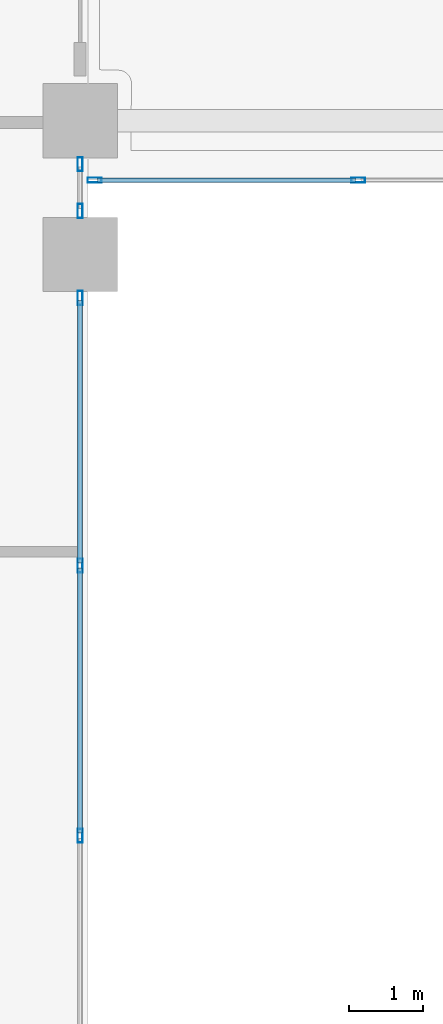
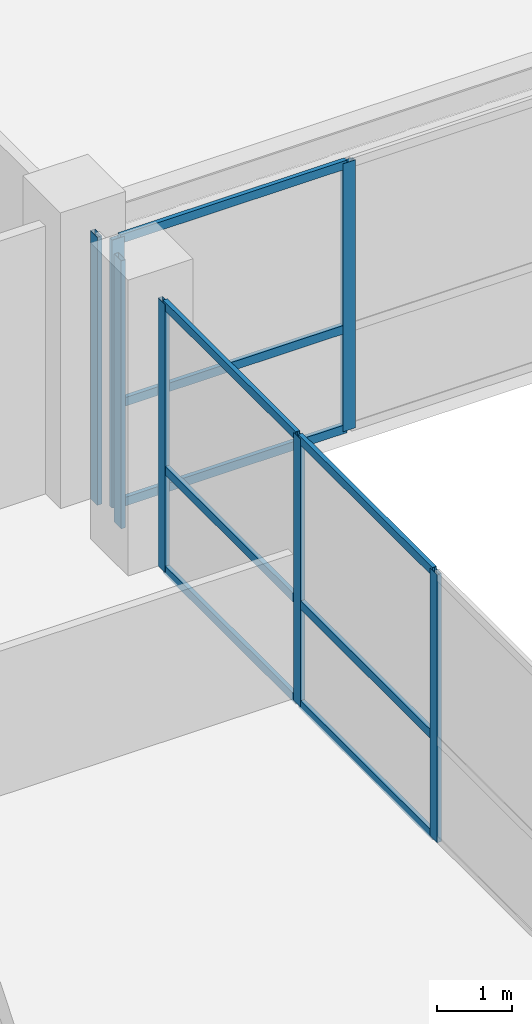
# One storey, part 14 of 44: 16 members, 3 elements without a shape of their own.
"""IFC4 building model written with IfcOpenShell, lengths in metres."""

from ifc_helpers import new_model, si_unit, derived_unit, direction, frame, origin, origin_2d, place, context, subcontext, project, spatial, hollow_rectangle, extrude, source, transform, mapped, material, layer, layer_set, material_profile, profile_set, type_object, element, aggregate, save


model = new_model("IFC4")

# Units and contexts
model_context = context("Model", 3, precision=1e-05, world=origin(), true_north=direction((0.0, 1.0)))
body_context = subcontext(model_context, "Body", "Model", "MODEL_VIEW")
ifc_project = project(units=[si_unit("LENGTHUNIT", "METRE"), si_unit("AREAUNIT", "SQUARE_METRE"), si_unit("VOLUMEUNIT", "CUBIC_METRE"), si_unit("PLANEANGLEUNIT", "RADIAN"), si_unit("MASSUNIT", "GRAM", prefix="KILO"), derived_unit("THERMALTRANSMITTANCEUNIT", [(si_unit("POWERUNIT", "WATT"), 1), (si_unit("LENGTHUNIT", "METRE"), -2), (si_unit("THERMODYNAMICTEMPERATUREUNIT", "KELVIN"), -1)])], contexts=[model_context])

# Site, building, storey
site_placement = place(None, origin())
site = spatial("IfcSite", under=ifc_project, at=site_placement, CompositionType="ELEMENT")
building_placement = place(site_placement, origin())
building = spatial("IfcBuilding", under=site, at=building_placement, Name="Korsvarv Bourse and Concert Hall", CompositionType="ELEMENT")
storey_placement = place(building_placement, frame((0.0, 0.0, 9.60009765625)))
storey = spatial("IfcBuildingStorey", under=building, at=storey_placement, Name="L02", CompositionType="ELEMENT", Elevation=9.60009765625)

# Curtain wall, members
ifc_material_1 = material(Name="Anodised aluminium and triple low-E glazing", Category="glass")
ifc_layer = layer(ifc_material_1, 0.239990234375)
ifc_layer_set = layer_set([ifc_layer], Name="Anodised aluminium and triple low-E glazing")
curtain_wall_type = type_object("IfcCurtainWallType", Name="CW-SYS-5", PredefinedType="NOTDEFINED", material=ifc_layer_set)
curtain_wall_1_placement = place(storey_placement, origin())
curtain_wall_1 = element("IfcCurtainWall", 1, at=curtain_wall_1_placement, inside=storey, type_object=curtain_wall_type, Name="L02 CW5 curtain wall CW-L02-E2-1", PredefinedType="NOTDEFINED")
ifc_material_2 = material(Name="Extruded aluminium EN AW-6063 T66", Category="aluminium")
ifc_material_profile_1 = material_profile(ifc_material_2, hollow_rectangle(XDim=0.06494140625, YDim=0.139892578125, WallThickness=0.00390625, at=origin_2d()), Name="ALU-T 65x140")
ifc_profile_set_1 = profile_set([ifc_material_profile_1], Name="Extruded aluminium EN AW-6063 T66")
member_type_1 = type_object("IfcMemberType", Name="CWT-140", PredefinedType="USERDEFINED", material=ifc_profile_set_1)
shared_shape_1 = source(origin(), body_context, "Body", "SweptSolid", [
    extrude(hollow_rectangle(XDim=0.06494140625, YDim=0.139892578125, WallThickness=0.00390625, at=origin_2d()), origin(), (0.0, 0.0, 1.0), 3.5283203125),
])
member_1_placement = place(storey_placement, frame((66.0, 23.8515625, 0.032470703125), z_axis=(0.0, 1.0, 0.0), x_axis=(-1.0, 0.0, 0.0)))
member_1 = element("IfcMember", 2, at=member_1_placement, type_object=member_type_1, Name="CW5 transom 3.1", ObjectType="TRANSOM", PredefinedType="USERDEFINED", context=body_context, shape_type="MappedRepresentation", body=[
    mapped(shared_shape_1, transform((0.0, 0.0, 0.0), scale=1.0)),
])
member_2_placement = place(storey_placement, frame((66.0, 23.8515625, 1.65283203125), z_axis=(0.0, 1.0, 0.0), x_axis=(-1.0, 0.0, 0.0)))
member_2 = element("IfcMember", 3, at=member_2_placement, type_object=member_type_1, Name="CW5 transom 3.2", ObjectType="TRANSOM", PredefinedType="USERDEFINED", context=body_context, shape_type="MappedRepresentation", body=[
    mapped(shared_shape_1, transform((0.0, 0.0, 0.0), scale=1.0)),
])
member_3_placement = place(storey_placement, frame((66.0, 23.8515625, 4.3173828125), z_axis=(0.0, 1.0, 0.0), x_axis=(-1.0, 0.0, 0.0)))
member_3 = element("IfcMember", 4, at=member_3_placement, type_object=member_type_1, Name="CW5 transom 3.3", ObjectType="TRANSOM", PredefinedType="USERDEFINED", context=body_context, shape_type="MappedRepresentation", body=[
    mapped(shared_shape_1, transform((0.0, 0.0, 0.0), scale=1.0)),
])
shared_shape_2 = source(origin(), body_context, "Body", "SweptSolid", [
    extrude(hollow_rectangle(XDim=0.06494140625, YDim=0.139892578125, WallThickness=0.00390625, at=origin_2d()), origin(), (0.0, 0.0, 1.0), 3.5634765625),
])
member_4_placement = place(storey_placement, frame((66.0, 20.21826171875, 0.032470703125), z_axis=(0.0, 1.0, 0.0), x_axis=(-1.0, 0.0, 0.0)))
member_4 = element("IfcMember", 5, at=member_4_placement, type_object=member_type_1, Name="CW5 transom 2.1", ObjectType="TRANSOM", PredefinedType="USERDEFINED", context=body_context, shape_type="MappedRepresentation", body=[
    mapped(shared_shape_2, transform((0.0, 0.0, 0.0), scale=1.0)),
])
member_5_placement = place(storey_placement, frame((66.0, 20.21826171875, 1.65283203125), z_axis=(0.0, 1.0, 0.0), x_axis=(-1.0, 0.0, 0.0)))
member_5 = element("IfcMember", 6, at=member_5_placement, type_object=member_type_1, Name="CW5 transom 2.2", ObjectType="TRANSOM", PredefinedType="USERDEFINED", context=body_context, shape_type="MappedRepresentation", body=[
    mapped(shared_shape_2, transform((0.0, 0.0, 0.0), scale=1.0)),
])
member_6_placement = place(storey_placement, frame((66.0, 20.21826171875, 4.3173828125), z_axis=(0.0, 1.0, 0.0), x_axis=(-1.0, 0.0, 0.0)))
member_6 = element("IfcMember", 7, at=member_6_placement, type_object=member_type_1, Name="CW5 transom 2.3", ObjectType="TRANSOM", PredefinedType="USERDEFINED", context=body_context, shape_type="MappedRepresentation", body=[
    mapped(shared_shape_2, transform((0.0, 0.0, 0.0), scale=1.0)),
])

curtain_wall_2_placement = place(storey_placement, origin())
curtain_wall_2 = element("IfcCurtainWall", 8, at=curtain_wall_2_placement, inside=storey, type_object=curtain_wall_type, Name="L02 CW5 curtain wall CW-L02-LKS", PredefinedType="NOTDEFINED")
shared_shape_3 = source(origin(), body_context, "Body", "SweptSolid", [
    extrude(hollow_rectangle(XDim=0.06494140625, YDim=0.139892578125, WallThickness=0.00390625, at=origin_2d()), origin(), (0.0, 0.0, 1.0), 3.47509765625),
])
member_7_placement = place(storey_placement, frame((66.22998046875, 29.0, 0.032470703125), z_axis=(1.0, 0.0, 0.0), x_axis=(0.0, 1.0, 0.0)))
member_7 = element("IfcMember", 9, at=member_7_placement, type_object=member_type_1, Name="CW5 transom 1.1", ObjectType="TRANSOM", PredefinedType="USERDEFINED", context=body_context, shape_type="MappedRepresentation", body=[
    mapped(shared_shape_3, transform((0.0, 0.0, 0.0), scale=1.0)),
])
member_8_placement = place(storey_placement, frame((66.22998046875, 29.0, 1.65283203125), z_axis=(1.0, 0.0, 0.0), x_axis=(0.0, 1.0, 0.0)))
member_8 = element("IfcMember", 10, at=member_8_placement, type_object=member_type_1, Name="CW5 transom 1.2", ObjectType="TRANSOM", PredefinedType="USERDEFINED", context=body_context, shape_type="MappedRepresentation", body=[
    mapped(shared_shape_3, transform((0.0, 0.0, 0.0), scale=1.0)),
])
member_9_placement = place(storey_placement, frame((66.22998046875, 29.0, 4.3173828125), z_axis=(1.0, 0.0, 0.0), x_axis=(0.0, 1.0, 0.0)))
member_9 = element("IfcMember", 11, at=member_9_placement, type_object=member_type_1, Name="CW5 transom 1.3", ObjectType="TRANSOM", PredefinedType="USERDEFINED", context=body_context, shape_type="MappedRepresentation", body=[
    mapped(shared_shape_3, transform((0.0, 0.0, 0.0), scale=1.0)),
])

# Member
ifc_material_profile_2 = material_profile(ifc_material_2, hollow_rectangle(XDim=0.070068359375, YDim=0.18994140625, WallThickness=0.0048828125, at=origin_2d()), Name="ALU-M 70x190")
ifc_profile_set_2 = profile_set([ifc_material_profile_2], Name="Extruded aluminium EN AW-6063 T66")
member_type_2 = type_object("IfcMemberType", Name="CWM-190", PredefinedType="MULLION", material=ifc_profile_set_2)
shared_shape_4 = source(origin(), body_context, "Body", "SweptSolid", [
    extrude(hollow_rectangle(XDim=0.070068359375, YDim=0.18994140625, WallThickness=0.0048828125, at=origin_2d()), origin(), (0.0, 0.0, 1.0), 4.349853515625),
])
member_10_placement = place(storey_placement, frame((66.0, 20.183349609375, 0.0), z_axis=(0.0, 0.0, 1.0), x_axis=(-1.0, 0.0, 0.0)))
member_10 = element("IfcMember", 12, at=member_10_placement, type_object=member_type_2, Name="CW5 mullion 2", PredefinedType="MULLION", context=body_context, shape_type="MappedRepresentation", body=[
    mapped(shared_shape_4, transform((0.0, 0.0, 0.0), scale=1.0)),
])

member_11_placement = place(storey_placement, frame((66.0, 23.816650390625, 0.0), z_axis=(0.0, 0.0, 1.0), x_axis=(-1.0, 0.0, 0.0)))
member_11 = element("IfcMember", 13, at=member_11_placement, type_object=member_type_2, Name="CW5 mullion 3", PredefinedType="MULLION", context=body_context, shape_type="MappedRepresentation", body=[
    mapped(shared_shape_4, transform((0.0, 0.0, 0.0), scale=1.0)),
])

member_12_placement = place(storey_placement, frame((66.0, 27.4150390625, 0.0), z_axis=(0.0, 0.0, 1.0), x_axis=(-1.0, 0.0, 0.0)))
member_12 = element("IfcMember", 14, at=member_12_placement, type_object=member_type_2, Name="CW5 mullion 4", PredefinedType="MULLION", context=body_context, shape_type="MappedRepresentation", body=[
    mapped(shared_shape_4, transform((0.0, 0.0, 0.0), scale=1.0)),
])

aggregate(curtain_wall_1, [member_10, member_11, member_12, member_4, member_5, member_6, member_1, member_2, member_3])

# Curtain wall, members
curtain_wall_3_placement = place(storey_placement, origin())
curtain_wall_3 = element("IfcCurtainWall", 15, at=curtain_wall_3_placement, inside=storey, type_object=curtain_wall_type, Name="L02 CW5 curtain wall CW-L02-E2-2", PredefinedType="NOTDEFINED")
member_13_placement = place(storey_placement, frame((66.0, 28.5849609375, 0.0), z_axis=(0.0, 0.0, 1.0), x_axis=(-1.0, 0.0, 0.0)))
member_13 = element("IfcMember", 16, at=member_13_placement, type_object=member_type_2, Name="CW5 mullion 1", PredefinedType="MULLION", context=body_context, shape_type="MappedRepresentation", body=[
    mapped(shared_shape_4, transform((0.0, 0.0, 0.0), scale=1.0)),
])
member_14_placement = place(storey_placement, frame((66.0, 29.215087890625, 0.0), z_axis=(0.0, 0.0, 1.0), x_axis=(-1.0, 0.0, 0.0)))
member_14 = element("IfcMember", 17, at=member_14_placement, type_object=member_type_2, Name="CW5 mullion 2", PredefinedType="MULLION", context=body_context, shape_type="MappedRepresentation", body=[
    mapped(shared_shape_4, transform((0.0, 0.0, 0.0), scale=1.0)),
])
aggregate(curtain_wall_3, [member_13, member_14])

# Member
member_15_placement = place(storey_placement, frame((66.195068359375, 29.0, 0.0), z_axis=(0.0, 0.0, 1.0), x_axis=(0.0, 1.0, 0.0)))
member_15 = element("IfcMember", 18, at=member_15_placement, type_object=member_type_2, Name="CW5 mullion 1", PredefinedType="MULLION", context=body_context, shape_type="MappedRepresentation", body=[
    mapped(shared_shape_4, transform((0.0, 0.0, 0.0), scale=1.0)),
])

member_16_placement = place(storey_placement, frame((69.739990234375, 29.0, 0.0), z_axis=(0.0, 0.0, 1.0), x_axis=(0.0, 1.0, 0.0)))
member_16 = element("IfcMember", 19, at=member_16_placement, type_object=member_type_2, Name="CW5 mullion 2", PredefinedType="MULLION", context=body_context, shape_type="MappedRepresentation", body=[
    mapped(shared_shape_4, transform((0.0, 0.0, 0.0), scale=1.0)),
])

aggregate(curtain_wall_2, [member_15, member_16, member_7, member_8, member_9])

save(model, "model.ifc")
